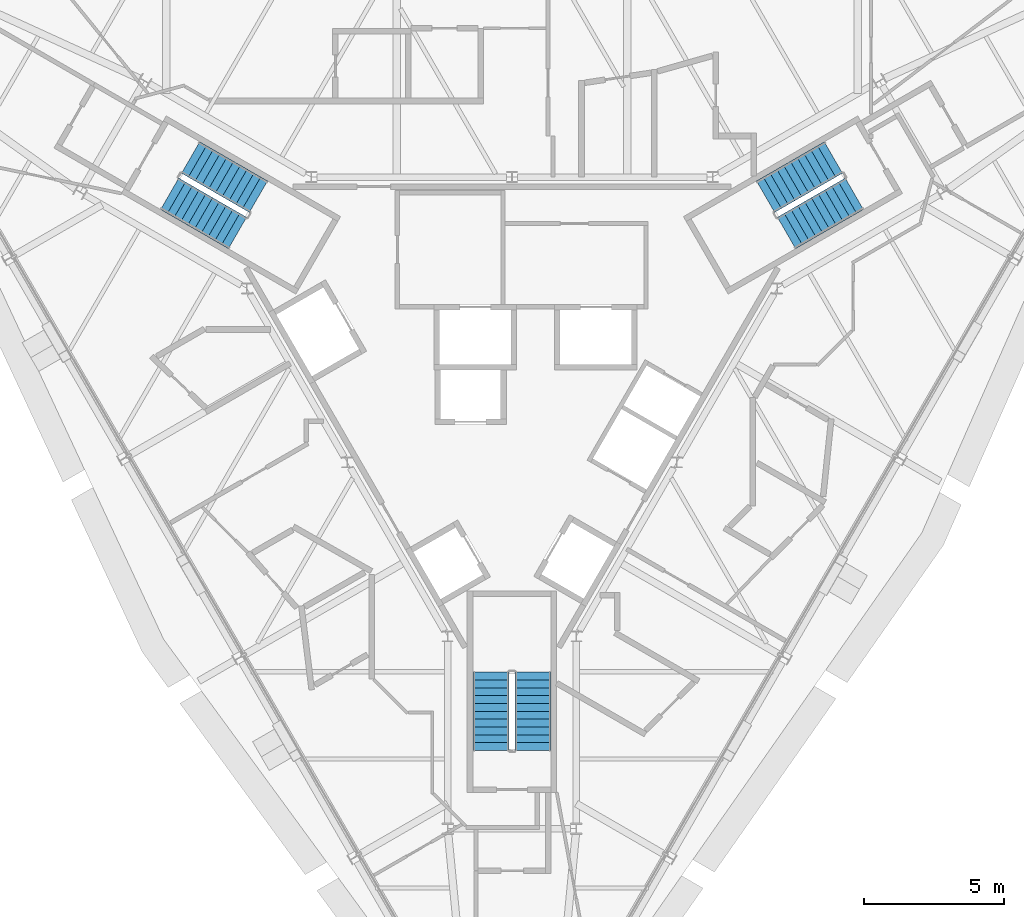
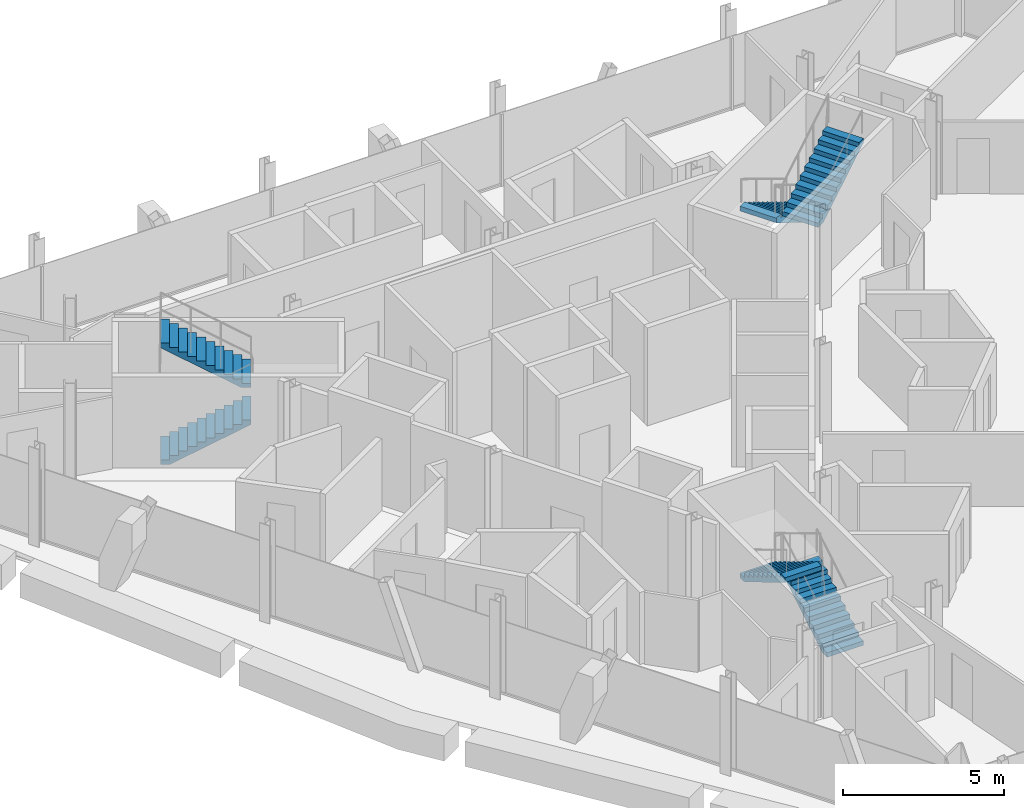
# One storey, part 12 of 14: 6 stair flights, 3 elements without a shape of their own.
"""IFC4 building model written with IfcOpenShell, lengths in metres."""

from ifc_helpers import new_model, si_unit, direction, frame, origin, place, context, subcontext, project, spatial, polyline, outline, extrude, material, type_object, element, aggregate, save


model = new_model("IFC4")

# Units and contexts
model_context = context("Model", 3, precision=1e-05, world=origin(), true_north=direction((0.0, 1.0)))
body_context = subcontext(model_context, "Body", "Model", "MODEL_VIEW")
ifc_project = project(units=[si_unit("LENGTHUNIT", "METRE"), si_unit("AREAUNIT", "SQUARE_METRE"), si_unit("VOLUMEUNIT", "CUBIC_METRE"), si_unit("PLANEANGLEUNIT", "RADIAN"), si_unit("MASSUNIT", "GRAM", prefix="KILO")], contexts=[model_context])

# Site, building, storey
site_placement = place(None, origin())
site = spatial("IfcSite", under=ifc_project, at=site_placement, CompositionType="ELEMENT")
building_placement = place(site_placement, origin())
building = spatial("IfcBuilding", under=site, at=building_placement, Name="Verrane Prism Tower", CompositionType="ELEMENT")
storey_placement = place(building_placement, frame((0.0, 0.0, 293.60009765625)))
storey = spatial("IfcBuildingStorey", under=building, at=storey_placement, Name="L74", CompositionType="ELEMENT", Elevation=293.60009765625)

# Stair, stair flights
ifc_material_1 = material(Name="Concrete C40/50", Category="concrete")
stair_type = type_object("IfcStairType", Name="Exit stair 1300 dog-leg precast concrete C40/50", PredefinedType="HALF_TURN_STAIR", material=ifc_material_1)
stair_1_placement = place(storey_placement, origin())
stair_1 = element("IfcStair", 1, at=stair_1_placement, inside=storey, type_object=stair_type, Name="Stair 1 L74", PredefinedType="HALF_TURN_STAIR")
ifc_material_2 = material(Name="Concrete C40/50", Category="concrete")
stair_flight_type = type_object("IfcStairFlightType", Name="Stair flight 1300 precast concrete C40/50", PredefinedType="STRAIGHT", material=ifc_material_2)
stair_flight_1_placement = place(storey_placement, frame((11.489501953125, 7.49951171875, 0.0), z_axis=(0.0, 0.0, 1.0), x_axis=(-0.866025403784, -0.5, 0.0)))
stair_flight_1 = element("IfcStairFlight", 2, at=stair_flight_1_placement, type_object=stair_flight_type, Name="Stair 1 flight 1", NumberOfRisers=11, NumberOfTreads=10, PredefinedType="STRAIGHT", RiserHeight=0.168181818, TreadLength=0.28, context=body_context, shape_type="SweptSolid", body=[
    extrude(outline(polyline([(0.0, 0.0), (0.0, 0.168212890625), (0.280029296875, 0.168212890625), (0.280029296875, 0.33642578125), (0.56005859375, 0.33642578125), (0.56005859375, 0.504638671875), (0.840087890625, 0.504638671875), (0.840087890625, 0.672607421875), (1.1201171875, 0.672607421875), (1.1201171875, 0.8408203125), (1.39990234375, 0.8408203125), (1.39990234375, 1.009033203125), (1.679931640625, 1.009033203125), (1.679931640625, 1.17724609375), (1.9599609375, 1.17724609375), (1.9599609375, 1.345458984375), (2.239990234375, 1.345458984375), (2.239990234375, 1.513671875), (2.52001953125, 1.513671875), (2.52001953125, 1.681884765625), (2.800048828125, 1.681884765625), (2.800048828125, 1.85009765625), (2.800048828125, 1.5068359375), (0.291015625, 0.0), (0.0, 0.0)])), frame((0.0, 0.64990234375, 0.0), z_axis=(0.0, -1.0, 0.0), x_axis=(1.0, 0.0, 0.0)), (0.0, 0.0, 1.0), 1.300048828125),
])
stair_flight_2_placement = place(storey_placement, frame((9.814697265625, 4.800537109375, 1.849853515625), z_axis=(0.0, 0.0, 1.0), x_axis=(0.866025403784, 0.5, 0.0)))
stair_flight_2 = element("IfcStairFlight", 3, at=stair_flight_2_placement, type_object=stair_flight_type, Name="Stair 1 flight 2", NumberOfRisers=11, NumberOfTreads=10, PredefinedType="STRAIGHT", RiserHeight=0.168181818, TreadLength=0.28, context=body_context, shape_type="SweptSolid", body=[
    extrude(outline(polyline([(0.0, 0.0), (0.0, 0.168212890625), (0.280029296875, 0.168212890625), (0.280029296875, 0.33642578125), (0.56005859375, 0.33642578125), (0.56005859375, 0.504638671875), (0.840087890625, 0.504638671875), (0.840087890625, 0.672607421875), (1.1201171875, 0.672607421875), (1.1201171875, 0.8408203125), (1.39990234375, 0.8408203125), (1.39990234375, 1.009033203125), (1.679931640625, 1.009033203125), (1.679931640625, 1.17724609375), (1.9599609375, 1.17724609375), (1.9599609375, 1.345458984375), (2.239990234375, 1.345458984375), (2.239990234375, 1.513671875), (2.52001953125, 1.513671875), (2.52001953125, 1.681884765625), (2.800048828125, 1.681884765625), (2.800048828125, 1.85009765625), (2.800048828125, 1.5068359375), (0.291015625, 0.0), (0.0, 0.0)])), frame((0.0, 0.64990234375, 0.0), z_axis=(0.0, -1.0, 0.0), x_axis=(1.0, 0.0, 0.0)), (0.0, 0.0, 1.0), 1.300048828125),
])
aggregate(stair_1, [stair_flight_1, stair_flight_2])

stair_2_placement = place(storey_placement, origin())
stair_2 = element("IfcStair", 4, at=stair_2_placement, inside=storey, type_object=stair_type, Name="Stair 2 L74", PredefinedType="HALF_TURN_STAIR")
stair_flight_3_placement = place(storey_placement, frame((-12.239501953125, 6.200439453125, 0.0), z_axis=(0.0, 0.0, 1.0), x_axis=(0.866025403784, -0.5, 0.0)))
stair_flight_3 = element("IfcStairFlight", 5, at=stair_flight_3_placement, type_object=stair_flight_type, Name="Stair 2 flight 1", NumberOfRisers=11, NumberOfTreads=10, PredefinedType="STRAIGHT", RiserHeight=0.168181818, TreadLength=0.28, context=body_context, shape_type="SweptSolid", body=[
    extrude(outline(polyline([(0.0, 0.0), (0.0, 0.168212890625), (0.280029296875, 0.168212890625), (0.280029296875, 0.33642578125), (0.56005859375, 0.33642578125), (0.56005859375, 0.504638671875), (0.840087890625, 0.504638671875), (0.840087890625, 0.672607421875), (1.1201171875, 0.672607421875), (1.1201171875, 0.8408203125), (1.39990234375, 0.8408203125), (1.39990234375, 1.009033203125), (1.679931640625, 1.009033203125), (1.679931640625, 1.17724609375), (1.9599609375, 1.17724609375), (1.9599609375, 1.345458984375), (2.239990234375, 1.345458984375), (2.239990234375, 1.513671875), (2.52001953125, 1.513671875), (2.52001953125, 1.681884765625), (2.800048828125, 1.681884765625), (2.800048828125, 1.85009765625), (2.800048828125, 1.5068359375), (0.291015625, 0.0), (0.0, 0.0)])), frame((0.0, 0.64990234375, 0.0), z_axis=(0.0, -1.0, 0.0), x_axis=(1.0, 0.0, 0.0)), (0.0, 0.0, 1.0), 1.300048828125),
])
stair_flight_4_placement = place(storey_placement, frame((-9.064697265625, 6.099609375, 1.849853515625), z_axis=(0.0, 0.0, 1.0), x_axis=(-0.866025403784, 0.5, 0.0)))
stair_flight_4 = element("IfcStairFlight", 6, at=stair_flight_4_placement, type_object=stair_flight_type, Name="Stair 2 flight 2", NumberOfRisers=11, NumberOfTreads=10, PredefinedType="STRAIGHT", RiserHeight=0.168181818, TreadLength=0.28, context=body_context, shape_type="SweptSolid", body=[
    extrude(outline(polyline([(0.0, 0.0), (0.0, 0.168212890625), (0.280029296875, 0.168212890625), (0.280029296875, 0.33642578125), (0.56005859375, 0.33642578125), (0.56005859375, 0.504638671875), (0.840087890625, 0.504638671875), (0.840087890625, 0.672607421875), (1.1201171875, 0.672607421875), (1.1201171875, 0.8408203125), (1.39990234375, 0.8408203125), (1.39990234375, 1.009033203125), (1.679931640625, 1.009033203125), (1.679931640625, 1.17724609375), (1.9599609375, 1.17724609375), (1.9599609375, 1.345458984375), (2.239990234375, 1.345458984375), (2.239990234375, 1.513671875), (2.52001953125, 1.513671875), (2.52001953125, 1.681884765625), (2.800048828125, 1.681884765625), (2.800048828125, 1.85009765625), (2.800048828125, 1.5068359375), (0.291015625, 0.0), (0.0, 0.0)])), frame((0.0, 0.64990234375, 0.0), z_axis=(0.0, -1.0, 0.0), x_axis=(1.0, 0.0, 0.0)), (0.0, 0.0, 1.0), 1.300048828125),
])
aggregate(stair_2, [stair_flight_3, stair_flight_4])

stair_3_placement = place(storey_placement, origin())
stair_3 = element("IfcStair", 7, at=stair_3_placement, inside=storey, type_object=stair_type, Name="Stair 3 L74", PredefinedType="HALF_TURN_STAIR")
stair_flight_5_placement = place(storey_placement, frame((0.75, -13.699951171875, 0.0), z_axis=(0.0, 0.0, 1.0), x_axis=(0.0, 1.0, 0.0)))
stair_flight_5 = element("IfcStairFlight", 8, at=stair_flight_5_placement, type_object=stair_flight_type, Name="Stair 3 flight 1", NumberOfRisers=11, NumberOfTreads=10, PredefinedType="STRAIGHT", RiserHeight=0.168181818, TreadLength=0.28, context=body_context, shape_type="SweptSolid", body=[
    extrude(outline(polyline([(0.0, 0.0), (0.0, 0.168212890625), (0.280029296875, 0.168212890625), (0.280029296875, 0.33642578125), (0.56005859375, 0.33642578125), (0.56005859375, 0.504638671875), (0.840087890625, 0.504638671875), (0.840087890625, 0.672607421875), (1.1201171875, 0.672607421875), (1.1201171875, 0.8408203125), (1.39990234375, 0.8408203125), (1.39990234375, 1.009033203125), (1.679931640625, 1.009033203125), (1.679931640625, 1.17724609375), (1.9599609375, 1.17724609375), (1.9599609375, 1.345458984375), (2.239990234375, 1.345458984375), (2.239990234375, 1.513671875), (2.52001953125, 1.513671875), (2.52001953125, 1.681884765625), (2.800048828125, 1.681884765625), (2.800048828125, 1.85009765625), (2.800048828125, 1.5068359375), (0.291015625, 0.0), (0.0, 0.0)])), frame((0.0, 0.64990234375, 0.0), z_axis=(0.0, -1.0, 0.0), x_axis=(1.0, 0.0, 0.0)), (0.0, 0.0, 1.0), 1.300048828125),
])
stair_flight_6_placement = place(storey_placement, frame((-0.75, -10.89990234375, 1.849853515625), z_axis=(0.0, 0.0, 1.0), x_axis=(0.0, -1.0, 0.0)))
stair_flight_6 = element("IfcStairFlight", 9, at=stair_flight_6_placement, type_object=stair_flight_type, Name="Stair 3 flight 2", NumberOfRisers=11, NumberOfTreads=10, PredefinedType="STRAIGHT", RiserHeight=0.168181818, TreadLength=0.28, context=body_context, shape_type="SweptSolid", body=[
    extrude(outline(polyline([(0.0, 0.0), (0.0, 0.168212890625), (0.280029296875, 0.168212890625), (0.280029296875, 0.33642578125), (0.56005859375, 0.33642578125), (0.56005859375, 0.504638671875), (0.840087890625, 0.504638671875), (0.840087890625, 0.672607421875), (1.1201171875, 0.672607421875), (1.1201171875, 0.8408203125), (1.39990234375, 0.8408203125), (1.39990234375, 1.009033203125), (1.679931640625, 1.009033203125), (1.679931640625, 1.17724609375), (1.9599609375, 1.17724609375), (1.9599609375, 1.345458984375), (2.239990234375, 1.345458984375), (2.239990234375, 1.513671875), (2.52001953125, 1.513671875), (2.52001953125, 1.681884765625), (2.800048828125, 1.681884765625), (2.800048828125, 1.85009765625), (2.800048828125, 1.5068359375), (0.291015625, 0.0), (0.0, 0.0)])), frame((0.0, 0.64990234375, 0.0), z_axis=(0.0, -1.0, 0.0), x_axis=(1.0, 0.0, 0.0)), (0.0, 0.0, 1.0), 1.300048828125),
])
aggregate(stair_3, [stair_flight_5, stair_flight_6])

save(model, "model.ifc")
